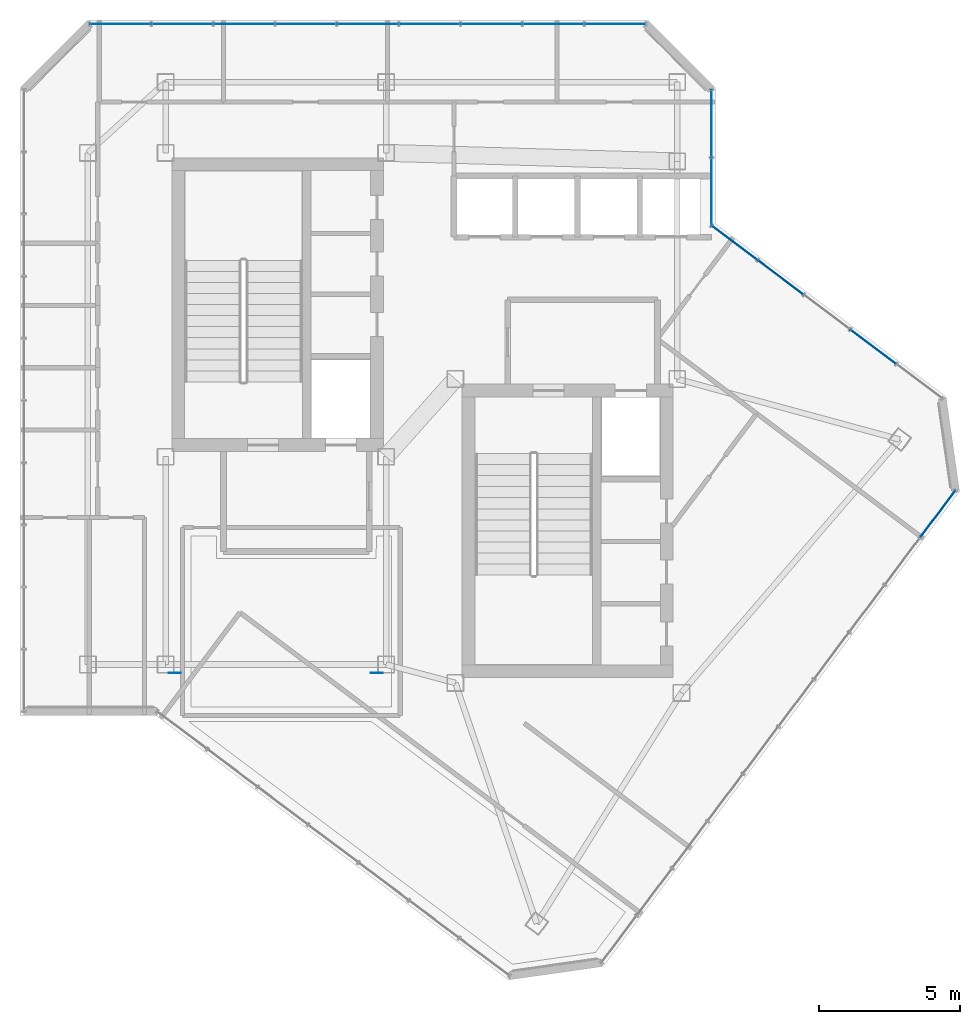
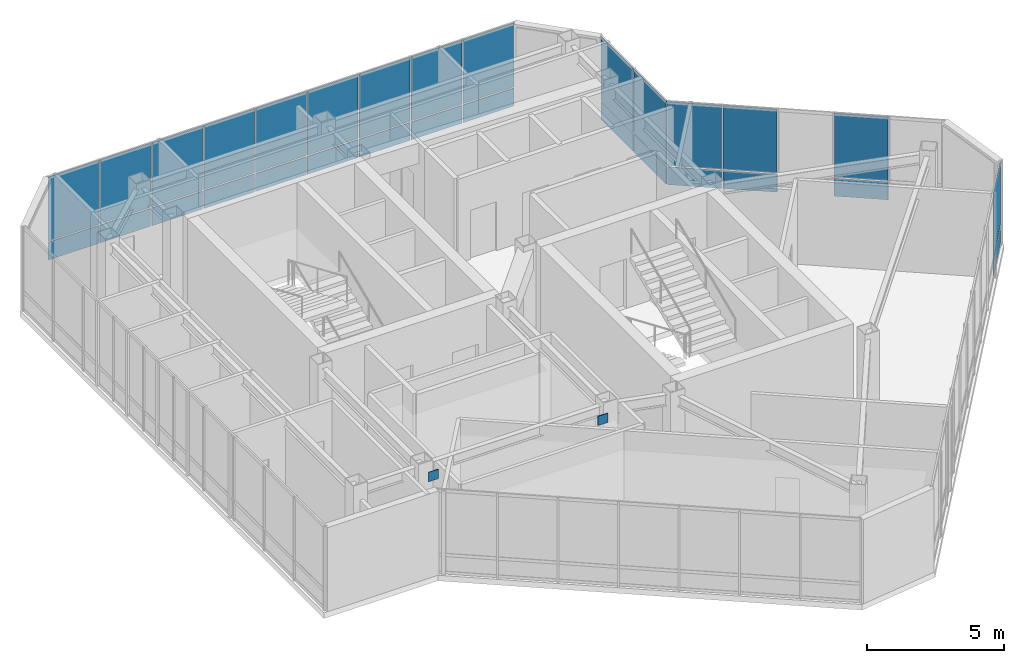
# One storey, part 25 of 30: 32 plates, 4 elements without a shape of their own.
"""IFC4 building model written with IfcOpenShell, lengths in metres."""

from ifc_helpers import new_model, si_unit, direction, frame, origin, origin_2d, place, context, subcontext, project, spatial, rectangle, extrude, material, layer, layer_set, type_object, element, aggregate, save


model = new_model("IFC4")

# Units and contexts
model_context = context("Model", 3, precision=1e-05, world=origin(), true_north=direction((0.0, 1.0)))
body_context = subcontext(model_context, "Body", "Model", "MODEL_VIEW")
ifc_project = project(units=[si_unit("LENGTHUNIT", "METRE"), si_unit("AREAUNIT", "SQUARE_METRE"), si_unit("VOLUMEUNIT", "CUBIC_METRE"), si_unit("PLANEANGLEUNIT", "RADIAN"), si_unit("MASSUNIT", "GRAM", prefix="KILO")], contexts=[model_context])

# Site, building, storey
site_placement = place(None, origin())
site = spatial("IfcSite", under=ifc_project, at=site_placement, CompositionType="ELEMENT")
building_placement = place(site_placement, origin())
building = spatial("IfcBuilding", under=site, at=building_placement, Name="Hatsunagi Terrace Concourse", CompositionType="ELEMENT")
storey_placement = place(building_placement, frame((0.0, 0.0, 273.949951171875)))
storey = spatial("IfcBuildingStorey", under=building, at=storey_placement, Name="L72", CompositionType="ELEMENT", Elevation=273.949951171875)

# Curtain wall, plates
ifc_material_1 = material(Name="Anodised Aluminium Alloy 6063-T5", Category="aluminium")
ifc_layer_1 = layer(ifc_material_1, 0.199951171875)
ifc_layer_set_1 = layer_set([ifc_layer_1], Name="CrownWintergarden_CW06")
curtain_wall_type = type_object("IfcCurtainWallType", Name="CrownWintergarden_CW06", PredefinedType="NOTDEFINED", material=ifc_layer_set_1)
curtain_wall_1_placement = place(storey_placement, origin())
curtain_wall_1 = element("IfcCurtainWall", 1, at=curtain_wall_1_placement, inside=storey, type_object=curtain_wall_type, Name="Unitised Curtain Wall CW-06 CW-L72-01", PredefinedType="NOTDEFINED")
ifc_material_2 = material(Name="Warm Terracotta Ceramic Spandrel Panel", Category="masonry")
ifc_layer_2 = layer(ifc_material_2, 0.031982421875)
ifc_layer_set_2 = layer_set([ifc_layer_2], Name="CurtainWallSpandrelPanel_32")
plate_type_1 = type_object("IfcPlateType", Name="CurtainWallSpandrelPanel_32", PredefinedType="SHEET", material=ifc_layer_set_2)
plate_1_placement = place(storey_placement, frame((45.677001953125, 40.116943359375, 0.030029296875), z_axis=(0.0, 0.0, 1.0), x_axis=(0.800023013105, -0.599969314634, 0.0)))
plate_1 = element("IfcPlate", 2, at=plate_1_placement, type_object=plate_type_1, Name="Terracotta Spandrel Panel SPN-01", PredefinedType="SHEET", context=body_context, shape_type="SweptSolid", body=[
    extrude(rectangle(XDim=1.987060546875, YDim=0.031982421875, at=origin_2d()), origin(), (0.0, 0.0, 1.0), 0.7900390625),
])
plate_2_placement = place(storey_placement, frame((47.31103515625, 38.89208984375, 0.030029296875), z_axis=(0.0, 0.0, 1.0), x_axis=(0.800023013105, -0.599969314634, 0.0)))
plate_2 = element("IfcPlate", 3, at=plate_2_placement, type_object=plate_type_1, Name="Terracotta Spandrel Panel SPN-01", PredefinedType="SHEET", context=body_context, shape_type="SweptSolid", body=[
    extrude(rectangle(XDim=1.987060546875, YDim=0.031982421875, at=origin_2d()), origin(), (0.0, 0.0, 1.0), 0.7900390625),
])
plate_3_placement = place(storey_placement, frame((50.5791015625, 36.44091796875, 0.030029296875), z_axis=(0.0, 0.0, 1.0), x_axis=(0.800023013105, -0.599969314634, 0.0)))
plate_3 = element("IfcPlate", 4, at=plate_3_placement, type_object=plate_type_1, Name="Terracotta Spandrel Panel SPN-01", PredefinedType="SHEET", context=body_context, shape_type="SweptSolid", body=[
    extrude(rectangle(XDim=1.987060546875, YDim=0.031982421875, at=origin_2d()), origin(), (0.0, 0.0, 1.0), 0.7900390625),
])

# Curtain wall, plate
curtain_wall_2_placement = place(storey_placement, origin())
curtain_wall_2 = element("IfcCurtainWall", 5, at=curtain_wall_2_placement, inside=storey, type_object=curtain_wall_type, Name="Unitised Curtain Wall CW-06 CW-L72-03", PredefinedType="NOTDEFINED")
plate_4_placement = place(storey_placement, frame((52.866943359375, 30.52294921875, 0.030029296875), z_axis=(0.0, 0.0, 1.0), x_axis=(-0.599969314634, -0.800023013105, 0.0)))
plate_4 = element("IfcPlate", 6, at=plate_4_placement, type_object=plate_type_1, Name="Terracotta Spandrel Panel SPN-01", PredefinedType="SHEET", context=body_context, shape_type="SweptSolid", body=[
    extrude(rectangle(XDim=2.032958984375, YDim=0.031982421875, at=origin_2d()), origin(), (0.0, 0.0, 1.0), 0.7900390625),
])

# Curtain wall, plates
curtain_wall_3_placement = place(storey_placement, origin())
curtain_wall_3 = element("IfcCurtainWall", 7, at=curtain_wall_3_placement, inside=storey, type_object=curtain_wall_type, Name="Unitised Curtain Wall CW-06 CW-L72-09", PredefinedType="NOTDEFINED")
plate_5_placement = place(storey_placement, frame((23.951904296875, 47.860107421875, 0.030029296875), z_axis=(0.0, 0.0, 1.0), x_axis=(1.0, 0.0, 0.0)))
plate_5 = element("IfcPlate", 8, at=plate_5_placement, type_object=plate_type_1, Name="Terracotta Spandrel Panel SPN-01", PredefinedType="SHEET", context=body_context, shape_type="SweptSolid", body=[
    extrude(rectangle(XDim=2.132080078125, YDim=0.031982421875, at=origin_2d()), origin(), (0.0, 0.0, 1.0), 0.7900390625),
])
plate_6_placement = place(storey_placement, frame((26.138916015625, 47.860107421875, 0.030029296875), z_axis=(0.0, 0.0, 1.0), x_axis=(1.0, 0.0, 0.0)))
plate_6 = element("IfcPlate", 9, at=plate_6_placement, type_object=plate_type_1, Name="Terracotta Spandrel Panel SPN-01", PredefinedType="SHEET", context=body_context, shape_type="SweptSolid", body=[
    extrude(rectangle(XDim=2.132080078125, YDim=0.031982421875, at=origin_2d()), origin(), (0.0, 0.0, 1.0), 0.7900390625),
])
plate_7_placement = place(storey_placement, frame((28.325927734375, 47.860107421875, 0.030029296875), z_axis=(0.0, 0.0, 1.0), x_axis=(1.0, 0.0, 0.0)))
plate_7 = element("IfcPlate", 10, at=plate_7_placement, type_object=plate_type_1, Name="Terracotta Spandrel Panel SPN-01", PredefinedType="SHEET", context=body_context, shape_type="SweptSolid", body=[
    extrude(rectangle(XDim=2.132080078125, YDim=0.031982421875, at=origin_2d()), origin(), (0.0, 0.0, 1.0), 0.7900390625),
])
plate_8_placement = place(storey_placement, frame((30.512939453125, 47.860107421875, 0.030029296875), z_axis=(0.0, 0.0, 1.0), x_axis=(1.0, 0.0, 0.0)))
plate_8 = element("IfcPlate", 11, at=plate_8_placement, type_object=plate_type_1, Name="Terracotta Spandrel Panel SPN-01", PredefinedType="SHEET", context=body_context, shape_type="SweptSolid", body=[
    extrude(rectangle(XDim=2.132080078125, YDim=0.031982421875, at=origin_2d()), origin(), (0.0, 0.0, 1.0), 0.7900390625),
])
plate_9_placement = place(storey_placement, frame((32.699951171875, 47.860107421875, 0.030029296875), z_axis=(0.0, 0.0, 1.0), x_axis=(1.0, 0.0, 0.0)))
plate_9 = element("IfcPlate", 12, at=plate_9_placement, type_object=plate_type_1, Name="Terracotta Spandrel Panel SPN-01", PredefinedType="SHEET", context=body_context, shape_type="SweptSolid", body=[
    extrude(rectangle(XDim=2.132080078125, YDim=0.031982421875, at=origin_2d()), origin(), (0.0, 0.0, 1.0), 0.7900390625),
])
plate_10_placement = place(storey_placement, frame((34.886962890625, 47.860107421875, 0.030029296875), z_axis=(0.0, 0.0, 1.0), x_axis=(1.0, 0.0, 0.0)))
plate_10 = element("IfcPlate", 13, at=plate_10_placement, type_object=plate_type_1, Name="Terracotta Spandrel Panel SPN-01", PredefinedType="SHEET", context=body_context, shape_type="SweptSolid", body=[
    extrude(rectangle(XDim=2.132080078125, YDim=0.031982421875, at=origin_2d()), origin(), (0.0, 0.0, 1.0), 0.7900390625),
])
plate_11_placement = place(storey_placement, frame((37.073974609375, 47.860107421875, 0.030029296875), z_axis=(0.0, 0.0, 1.0), x_axis=(1.0, 0.0, 0.0)))
plate_11 = element("IfcPlate", 14, at=plate_11_placement, type_object=plate_type_1, Name="Terracotta Spandrel Panel SPN-01", PredefinedType="SHEET", context=body_context, shape_type="SweptSolid", body=[
    extrude(rectangle(XDim=2.132080078125, YDim=0.031982421875, at=origin_2d()), origin(), (0.0, 0.0, 1.0), 0.7900390625),
])
plate_12_placement = place(storey_placement, frame((39.260986328125, 47.860107421875, 0.030029296875), z_axis=(0.0, 0.0, 1.0), x_axis=(1.0, 0.0, 0.0)))
plate_12 = element("IfcPlate", 15, at=plate_12_placement, type_object=plate_type_1, Name="Terracotta Spandrel Panel SPN-01", PredefinedType="SHEET", context=body_context, shape_type="SweptSolid", body=[
    extrude(rectangle(XDim=2.132080078125, YDim=0.031982421875, at=origin_2d()), origin(), (0.0, 0.0, 1.0), 0.7900390625),
])
plate_13_placement = place(storey_placement, frame((41.447998046875, 47.860107421875, 0.030029296875), z_axis=(0.0, 0.0, 1.0), x_axis=(1.0, 0.0, 0.0)))
plate_13 = element("IfcPlate", 16, at=plate_13_placement, type_object=plate_type_1, Name="Terracotta Spandrel Panel SPN-01", PredefinedType="SHEET", context=body_context, shape_type="SweptSolid", body=[
    extrude(rectangle(XDim=2.132080078125, YDim=0.031982421875, at=origin_2d()), origin(), (0.0, 0.0, 1.0), 0.7900390625),
])

curtain_wall_4_placement = place(storey_placement, origin())
curtain_wall_4 = element("IfcCurtainWall", 17, at=curtain_wall_4_placement, inside=storey, type_object=curtain_wall_type, Name="Unitised Curtain Wall CW-06 CW-L72-11", PredefinedType="NOTDEFINED")
plate_14_placement = place(storey_placement, frame((44.860107421875, 44.339111328125, 0.030029296875), z_axis=(0.0, 0.0, 1.0), x_axis=(0.0, -1.0, 0.0)))
plate_14 = element("IfcPlate", 18, at=plate_14_placement, type_object=plate_type_1, Name="Terracotta Spandrel Panel SPN-01", PredefinedType="SHEET", context=body_context, shape_type="SweptSolid", body=[
    extrude(rectangle(XDim=2.35107421875, YDim=0.031982421875, at=origin_2d()), origin(), (0.0, 0.0, 1.0), 0.7900390625),
])
plate_15_placement = place(storey_placement, frame((44.860107421875, 41.93310546875, 0.030029296875), z_axis=(0.0, 0.0, 1.0), x_axis=(0.0, -1.0, 0.0)))
plate_15 = element("IfcPlate", 19, at=plate_15_placement, type_object=plate_type_1, Name="Terracotta Spandrel Panel SPN-01", PredefinedType="SHEET", context=body_context, shape_type="SweptSolid", body=[
    extrude(rectangle(XDim=2.35107421875, YDim=0.031982421875, at=origin_2d()), origin(), (0.0, 0.0, 1.0), 0.7900390625),
])

# Plate
ifc_material_3 = material(Name="Low-E Double Insulating Glass 28mm", Category="glass")
ifc_layer_3 = layer(ifc_material_3, 0.028076171875)
ifc_layer_set_3 = layer_set([ifc_layer_3], Name="CurtainWallVisionGlass_28")
plate_type_2 = type_object("IfcPlateType", Name="CurtainWallVisionGlass_28", PredefinedType="CURTAIN_PANEL", material=ifc_layer_set_3)
plate_16_placement = place(storey_placement, frame((45.677001953125, 40.116943359375, 0.8798828125), z_axis=(0.0, 0.0, 1.0), x_axis=(0.800023013105, -0.599969314634, 0.0)))
plate_16 = element("IfcPlate", 20, at=plate_16_placement, type_object=plate_type_2, Name="Low-E Vision Glass Panel GLZ-01", PredefinedType="CURTAIN_PANEL", context=body_context, shape_type="SweptSolid", body=[
    extrude(rectangle(XDim=1.987060546875, YDim=0.028076171875, at=origin_2d()), origin(), (0.0, 0.0, 1.0), 2.840087890625),
])

plate_17_placement = place(storey_placement, frame((47.31103515625, 38.89208984375, 0.8798828125), z_axis=(0.0, 0.0, 1.0), x_axis=(0.800023013105, -0.599969314634, 0.0)))
plate_17 = element("IfcPlate", 21, at=plate_17_placement, type_object=plate_type_2, Name="Low-E Vision Glass Panel GLZ-01", PredefinedType="CURTAIN_PANEL", context=body_context, shape_type="SweptSolid", body=[
    extrude(rectangle(XDim=1.987060546875, YDim=0.028076171875, at=origin_2d()), origin(), (0.0, 0.0, 1.0), 2.840087890625),
])

plate_18_placement = place(storey_placement, frame((50.5791015625, 36.44091796875, 0.8798828125), z_axis=(0.0, 0.0, 1.0), x_axis=(0.800023013105, -0.599969314634, 0.0)))
plate_18 = element("IfcPlate", 22, at=plate_18_placement, type_object=plate_type_2, Name="Low-E Vision Glass Panel GLZ-01", PredefinedType="CURTAIN_PANEL", context=body_context, shape_type="SweptSolid", body=[
    extrude(rectangle(XDim=1.987060546875, YDim=0.028076171875, at=origin_2d()), origin(), (0.0, 0.0, 1.0), 2.840087890625),
])

aggregate(curtain_wall_1, [plate_1, plate_16, plate_2, plate_17, plate_3, plate_18])

plate_19_placement = place(storey_placement, frame((52.866943359375, 30.52294921875, 0.8798828125), z_axis=(0.0, 0.0, 1.0), x_axis=(-0.599969314634, -0.800023013105, 0.0)))
plate_19 = element("IfcPlate", 23, at=plate_19_placement, type_object=plate_type_2, Name="Low-E Vision Glass Panel GLZ-01", PredefinedType="CURTAIN_PANEL", context=body_context, shape_type="SweptSolid", body=[
    extrude(rectangle(XDim=2.032958984375, YDim=0.028076171875, at=origin_2d()), origin(), (0.0, 0.0, 1.0), 2.840087890625),
])

aggregate(curtain_wall_2, [plate_4, plate_19])

plate_20_placement = place(storey_placement, frame((23.951904296875, 47.860107421875, 0.8798828125), z_axis=(0.0, 0.0, 1.0), x_axis=(1.0, 0.0, 0.0)))
plate_20 = element("IfcPlate", 24, at=plate_20_placement, type_object=plate_type_2, Name="Low-E Vision Glass Panel GLZ-01", PredefinedType="CURTAIN_PANEL", context=body_context, shape_type="SweptSolid", body=[
    extrude(rectangle(XDim=2.132080078125, YDim=0.028076171875, at=origin_2d()), origin(), (0.0, 0.0, 1.0), 2.840087890625),
])

plate_21_placement = place(storey_placement, frame((26.138916015625, 47.860107421875, 0.8798828125), z_axis=(0.0, 0.0, 1.0), x_axis=(1.0, 0.0, 0.0)))
plate_21 = element("IfcPlate", 25, at=plate_21_placement, type_object=plate_type_2, Name="Low-E Vision Glass Panel GLZ-01", PredefinedType="CURTAIN_PANEL", context=body_context, shape_type="SweptSolid", body=[
    extrude(rectangle(XDim=2.132080078125, YDim=0.028076171875, at=origin_2d()), origin(), (0.0, 0.0, 1.0), 2.840087890625),
])

plate_22_placement = place(storey_placement, frame((28.325927734375, 47.860107421875, 0.8798828125), z_axis=(0.0, 0.0, 1.0), x_axis=(1.0, 0.0, 0.0)))
plate_22 = element("IfcPlate", 26, at=plate_22_placement, type_object=plate_type_2, Name="Low-E Vision Glass Panel GLZ-01", PredefinedType="CURTAIN_PANEL", context=body_context, shape_type="SweptSolid", body=[
    extrude(rectangle(XDim=2.132080078125, YDim=0.028076171875, at=origin_2d()), origin(), (0.0, 0.0, 1.0), 2.840087890625),
])

plate_23_placement = place(storey_placement, frame((30.512939453125, 47.860107421875, 0.8798828125), z_axis=(0.0, 0.0, 1.0), x_axis=(1.0, 0.0, 0.0)))
plate_23 = element("IfcPlate", 27, at=plate_23_placement, type_object=plate_type_2, Name="Low-E Vision Glass Panel GLZ-01", PredefinedType="CURTAIN_PANEL", context=body_context, shape_type="SweptSolid", body=[
    extrude(rectangle(XDim=2.132080078125, YDim=0.028076171875, at=origin_2d()), origin(), (0.0, 0.0, 1.0), 2.840087890625),
])

plate_24_placement = place(storey_placement, frame((32.699951171875, 47.860107421875, 0.8798828125), z_axis=(0.0, 0.0, 1.0), x_axis=(1.0, 0.0, 0.0)))
plate_24 = element("IfcPlate", 28, at=plate_24_placement, type_object=plate_type_2, Name="Low-E Vision Glass Panel GLZ-01", PredefinedType="CURTAIN_PANEL", context=body_context, shape_type="SweptSolid", body=[
    extrude(rectangle(XDim=2.132080078125, YDim=0.028076171875, at=origin_2d()), origin(), (0.0, 0.0, 1.0), 2.840087890625),
])

plate_25_placement = place(storey_placement, frame((34.886962890625, 47.860107421875, 0.8798828125), z_axis=(0.0, 0.0, 1.0), x_axis=(1.0, 0.0, 0.0)))
plate_25 = element("IfcPlate", 29, at=plate_25_placement, type_object=plate_type_2, Name="Low-E Vision Glass Panel GLZ-01", PredefinedType="CURTAIN_PANEL", context=body_context, shape_type="SweptSolid", body=[
    extrude(rectangle(XDim=2.132080078125, YDim=0.028076171875, at=origin_2d()), origin(), (0.0, 0.0, 1.0), 2.840087890625),
])

plate_26_placement = place(storey_placement, frame((37.073974609375, 47.860107421875, 0.8798828125), z_axis=(0.0, 0.0, 1.0), x_axis=(1.0, 0.0, 0.0)))
plate_26 = element("IfcPlate", 30, at=plate_26_placement, type_object=plate_type_2, Name="Low-E Vision Glass Panel GLZ-01", PredefinedType="CURTAIN_PANEL", context=body_context, shape_type="SweptSolid", body=[
    extrude(rectangle(XDim=2.132080078125, YDim=0.028076171875, at=origin_2d()), origin(), (0.0, 0.0, 1.0), 2.840087890625),
])

plate_27_placement = place(storey_placement, frame((39.260986328125, 47.860107421875, 0.8798828125), z_axis=(0.0, 0.0, 1.0), x_axis=(1.0, 0.0, 0.0)))
plate_27 = element("IfcPlate", 31, at=plate_27_placement, type_object=plate_type_2, Name="Low-E Vision Glass Panel GLZ-01", PredefinedType="CURTAIN_PANEL", context=body_context, shape_type="SweptSolid", body=[
    extrude(rectangle(XDim=2.132080078125, YDim=0.028076171875, at=origin_2d()), origin(), (0.0, 0.0, 1.0), 2.840087890625),
])

plate_28_placement = place(storey_placement, frame((41.447998046875, 47.860107421875, 0.8798828125), z_axis=(0.0, 0.0, 1.0), x_axis=(1.0, 0.0, 0.0)))
plate_28 = element("IfcPlate", 32, at=plate_28_placement, type_object=plate_type_2, Name="Low-E Vision Glass Panel GLZ-01", PredefinedType="CURTAIN_PANEL", context=body_context, shape_type="SweptSolid", body=[
    extrude(rectangle(XDim=2.132080078125, YDim=0.028076171875, at=origin_2d()), origin(), (0.0, 0.0, 1.0), 2.840087890625),
])

aggregate(curtain_wall_3, [plate_5, plate_20, plate_6, plate_21, plate_7, plate_22, plate_8, plate_23, plate_9, plate_24, plate_10, plate_25, plate_11, plate_26, plate_12, plate_27, plate_13, plate_28])

plate_29_placement = place(storey_placement, frame((44.860107421875, 44.339111328125, 0.8798828125), z_axis=(0.0, 0.0, 1.0), x_axis=(0.0, -1.0, 0.0)))
plate_29 = element("IfcPlate", 33, at=plate_29_placement, type_object=plate_type_2, Name="Low-E Vision Glass Panel GLZ-01", PredefinedType="CURTAIN_PANEL", context=body_context, shape_type="SweptSolid", body=[
    extrude(rectangle(XDim=2.35107421875, YDim=0.028076171875, at=origin_2d()), origin(), (0.0, 0.0, 1.0), 2.840087890625),
])

plate_30_placement = place(storey_placement, frame((44.860107421875, 41.93310546875, 0.8798828125), z_axis=(0.0, 0.0, 1.0), x_axis=(0.0, -1.0, 0.0)))
plate_30 = element("IfcPlate", 34, at=plate_30_placement, type_object=plate_type_2, Name="Low-E Vision Glass Panel GLZ-01", PredefinedType="CURTAIN_PANEL", context=body_context, shape_type="SweptSolid", body=[
    extrude(rectangle(XDim=2.35107421875, YDim=0.028076171875, at=origin_2d()), origin(), (0.0, 0.0, 1.0), 2.840087890625),
])

aggregate(curtain_wall_4, [plate_14, plate_29, plate_15, plate_30])

# Plates
ifc_material_4 = material(Name="Steel SN490C", Category="steel")
ifc_layer_4 = layer(ifc_material_4, 0.031982421875)
ifc_layer_set_4 = layer_set([ifc_layer_4], Name="XBraceNodeCapPlate_32")
plate_type_3 = type_object("IfcPlateType", Name="XBraceNodeCapPlate_32", PredefinedType="USERDEFINED", material=ifc_layer_set_4)
for number, where, z_axis, x_axis, name in (
    (35, (25.875, 24.89990234375, 3.10009765625), (0.0, 0.0, 1.0), (1.0, 0.0, 0.0), "Cast-In Core and Node Embed Plate GP-02 EP-XB-L70-SE-AT"),
    (36, (33.02490234375, 24.89990234375, 3.10009765625), (0.0, 0.0, 1.0), (1.0, 0.0, 0.0), "Cast-In Core and Node Embed Plate GP-02 EP-XB-L70-SE-BT"),
):
    element("IfcPlate", number, at=place(storey_placement, frame(where, z_axis=z_axis, x_axis=x_axis)), inside=storey, type_object=plate_type_3, Name=name, ObjectType="GUSSET_PLATE", PredefinedType="USERDEFINED", context=body_context, shape_type="SweptSolid", body=[
        extrude(rectangle(XDim=0.419921875, YDim=0.031982421875, at=origin_2d()), origin(), (0.0, 0.0, 1.0), 0.419921875),
    ])

save(model, "model.ifc")
